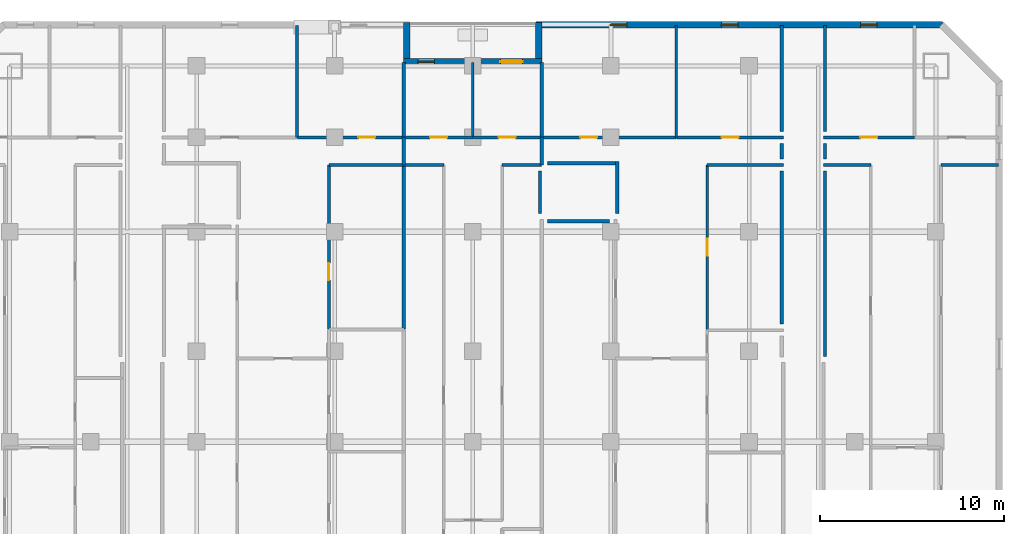
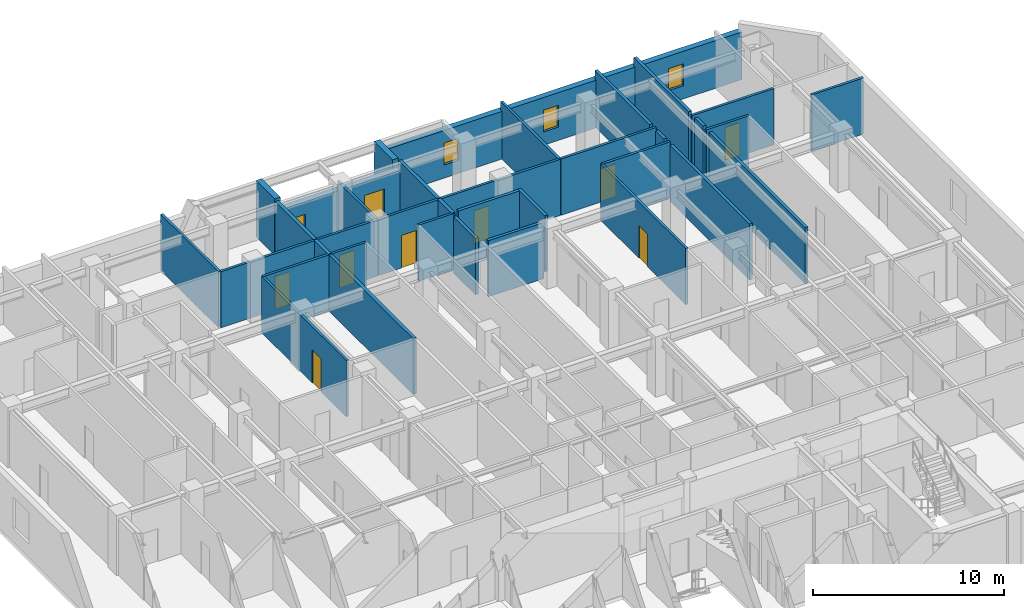
# One storey, part 8 of 10: 36 walls, 9 doors, 4 windows, 13 openings.
"""IFC4 building model written with IfcOpenShell, lengths in metres."""

import ifcopenshell
import ifcopenshell.guid

model = None  # the IFC model being written
_history = None  # IfcOwnerHistory: only IFC2X3 demands one
_inside = {}  # id of a spatial element -> (the spatial element, [elements in it])
_under = {}  # id of a project, library or spatial element -> (it, [spatial elements below it])
_declared = {}  # id of a project -> (the project, [libraries it declares])
_typed = {}  # id of a type object -> (the type object, [elements of that type])
_made_of = {}  # id of a material, layer set ... -> (it, [elements and type objects made of it])


def new_model(schema):
    """Start an empty IFC model of exactly this schema.

    Asked for "IFC4X3", IfcOpenShell would pick the latest addendum, in which some entities
    have other attributes; the version numbers below select the first issue.
    IFC2X3 requires an IfcOwnerHistory on every rooted entity: one is made here for all.
    """
    global model, _history
    if schema == "IFC4X3":
        model = ifcopenshell.file(schema_version=(4, 3, 0, 0))
    else:
        model = ifcopenshell.file(schema=schema)
    _inside.clear()
    _under.clear()
    _declared.clear()
    _typed.clear()
    _made_of.clear()
    _history = None
    if model.schema == "IFC2X3":
        org = make("IfcOrganization", Name="unknown")
        user = make(
            "IfcPersonAndOrganization",
            ThePerson=make("IfcPerson", FamilyName="unknown"),
            TheOrganization=org,
        )
        app = make(
            "IfcApplication",
            ApplicationDeveloper=org,
            Version="unknown",
            ApplicationFullName="unknown",
            ApplicationIdentifier="unknown",
        )
        _history = make(
            "IfcOwnerHistory",
            OwningUser=user,
            OwningApplication=app,
            ChangeAction="ADDED",
            CreationDate=0,
        )
    return model


def make(cls, **values):
    """One entity of the class cls with the attributes given. An attribute that is None is left unset."""
    return model.create_entity(
        cls, **{name: value for name, value in values.items() if value is not None}
    )


def rooted(cls, **values):
    """An entity with a GlobalId (a new one), such as an element, a storey or a relation."""
    return make(cls, GlobalId=ifcopenshell.guid.new(), OwnerHistory=_history, **values)


def si_unit(unit_type, name, prefix=None):
    """IfcSIUnit, for example si_unit("LENGTHUNIT", "METRE", prefix="MILLI")."""
    return make("IfcSIUnit", UnitType=unit_type, Prefix=prefix, Name=name)


def assignment(units):
    """IfcUnitAssignment: the units of a project."""
    return None if units is None else make("IfcUnitAssignment", Units=units)


def point(xyz):
    """IfcCartesianPoint."""
    return None if xyz is None else make("IfcCartesianPoint", Coordinates=xyz)


def direction(xyz):
    """IfcDirection."""
    return None if xyz is None else make("IfcDirection", DirectionRatios=xyz)


def frame(location, z_axis=None, x_axis=None):
    """IfcAxis2Placement3D, a coordinate frame: its origin and axes. An axis left out is left unset."""
    return make(
        "IfcAxis2Placement3D",
        Location=point(location),
        Axis=direction(z_axis),
        RefDirection=direction(x_axis),
    )


def frame_2d(location, x_axis=None):
    """IfcAxis2Placement2D, a coordinate frame in the plane: its origin and x axis."""
    return make(
        "IfcAxis2Placement2D", Location=point(location), RefDirection=direction(x_axis)
    )


def origin():
    """The frame at (0, 0, 0) with its axes left unset."""
    return frame((0.0, 0.0, 0.0))


def place(relative_to, where):
    """IfcLocalPlacement: puts the frame where relative to a parent placement (None: the world)."""
    return make(
        "IfcLocalPlacement", PlacementRelTo=relative_to, RelativePlacement=where
    )


def context(
    kind, dimensions, precision=None, world=None, true_north=None, identifier=None
):
    """IfcGeometricRepresentationContext, for example the 3D "Model" context."""
    return make(
        "IfcGeometricRepresentationContext",
        ContextIdentifier=identifier,
        ContextType=kind,
        CoordinateSpaceDimension=dimensions,
        Precision=precision,
        WorldCoordinateSystem=world,
        TrueNorth=true_north,
    )


def subcontext(parent, identifier, kind, view, scale=None):
    """IfcGeometricRepresentationSubContext, for example "Body" below "Model"."""
    return make(
        "IfcGeometricRepresentationSubContext",
        ContextIdentifier=identifier,
        ContextType=kind,
        ParentContext=parent,
        TargetScale=scale,
        TargetView=view,
    )


def project(units=None, contexts=None):
    """IfcProject with its units and contexts."""
    return rooted(
        "IfcProject",
        Name="project",
        RepresentationContexts=contexts,
        UnitsInContext=assignment(units),
    )


def spatial(cls, under=None, at=None, **own):
    """A site, building, storey or space (cls), placed at a placement, below another one or the project."""
    s = rooted(cls, ObjectPlacement=at, **own)
    if under is not None:
        _under.setdefault(under.id(), (under, []))[1].append(s)
    return s


def profile(cls, at=None, kind="AREA", **sizes):
    """A parametric profile (cls). Its sizes go by their IFC names, for example OverallWidth=200.0."""
    return make(cls, ProfileType=kind, Position=at, **sizes)


def rectangle(**sizes):
    """IfcRectangleProfileDef."""
    return profile("IfcRectangleProfileDef", **sizes)


def extrude(swept, where, along, depth):
    """IfcExtrudedAreaSolid: the profile swept, set in the frame where, extruded along a direction by depth."""
    return make(
        "IfcExtrudedAreaSolid",
        SweptArea=swept,
        Position=where,
        ExtrudedDirection=direction(along),
        Depth=depth,
    )


def shape(context_of_items, identifier, shape_type, items):
    """IfcShapeRepresentation: the items that make up one representation, for example the "Body"."""
    return make(
        "IfcShapeRepresentation",
        ContextOfItems=context_of_items,
        RepresentationIdentifier=identifier,
        RepresentationType=shape_type,
        Items=items,
    )


def material(Name=None, Category=None):
    """IfcMaterial."""
    return make("IfcMaterial", Name=Name, Category=Category)


def layer(
    of_material, thickness, ventilated=None, Name=None, Category=None, Priority=None
):
    """IfcMaterialLayer: one layer of a wall or slab, of a material (None: an air gap)."""
    return make(
        "IfcMaterialLayer",
        Material=of_material,
        LayerThickness=thickness,
        IsVentilated=ventilated,
        Name=Name,
        Category=Category,
        Priority=Priority,
    )


def layer_set(layers, Name=None):
    """IfcMaterialLayerSet."""
    return make("IfcMaterialLayerSet", MaterialLayers=layers, LayerSetName=Name)


def made_of(thing, what):
    """Note that an element or type object is made of a material, layer set ...; save() writes the relation."""
    if what is not None:
        _made_of.setdefault(what.id(), (what, []))[1].append(thing)
    return thing


def type_object(cls, material=None, **own):
    """A type object (cls), such as IfcWallType, which elements share."""
    return made_of(rooted(cls, **own), material)


def element(
    cls,
    number,
    at=None,
    inside=None,
    cuts=None,
    type_object=None,
    material=None,
    context=None,
    identifier="Body",
    shape_type=None,
    held_by="IfcProductDefinitionShape",
    body=None,
    shapes=None,
    **own,
):
    """One element of the class cls, such as IfcWall. Its Tag is "e" and its number.

    at: its placement. inside: the storey or other place that contains it. cuts: it is an
    opening in that element (IfcRelVoidsElement). A single representation is given by context,
    identifier, shape_type and body (its items); several are given by shapes. held_by: the class
    of the entity that holds the representations. save() writes the other relations.
    """
    e = rooted(cls, Tag="e%d" % number, ObjectPlacement=at, **own)
    if body is not None:
        shapes = [shape(context, identifier, shape_type, body)]
    if shapes is not None:
        e.Representation = make(held_by, Representations=shapes)
    if inside is not None:
        _inside.setdefault(inside.id(), (inside, []))[1].append(e)
    if cuts is not None:
        rooted(
            "IfcRelVoidsElement", RelatingBuildingElement=cuts, RelatedOpeningElement=e
        )
    if type_object is not None:
        _typed.setdefault(type_object.id(), (type_object, []))[1].append(e)
    return made_of(e, material)


def fill(opening, filler):
    """IfcRelFillsElement: the door or window that sits in an opening."""
    return rooted(
        "IfcRelFillsElement",
        RelatingOpeningElement=opening,
        RelatedBuildingElement=filler,
    )


def aggregate(whole, parts):
    """IfcRelAggregates: a whole, such as a stair, and the parts it consists of."""
    return rooted("IfcRelAggregates", RelatingObject=whole, RelatedObjects=parts)


def save(model, path):
    """Write the relations noted so far, then the file.

    IfcRelAggregates (storeys below a building ...), IfcRelContainedInSpatialStructure (elements
    in a storey), IfcRelDefinesByType, IfcRelAssociatesMaterial and IfcRelDeclares: one each for
    every whole, place, type object, material and project.
    """
    for whole, parts in _under.values():
        aggregate(whole, parts)
    for where, things in _inside.values():
        rooted(
            "IfcRelContainedInSpatialStructure",
            RelatedElements=things,
            RelatingStructure=where,
        )
    for kind, things in _typed.values():
        rooted("IfcRelDefinesByType", RelatedObjects=things, RelatingType=kind)
    for what, things in _made_of.values():
        rooted("IfcRelAssociatesMaterial", RelatedObjects=things, RelatingMaterial=what)
    for by, libraries in _declared.values():
        rooted("IfcRelDeclares", RelatingContext=by, RelatedDefinitions=libraries)
    model.write(path)


model = new_model("IFC4")

# Units and contexts
model_context = context("Model", 3, precision=1e-05, world=origin(), true_north=direction((0.0, 1.0)))
body_context = subcontext(model_context, "Body", "Model", "MODEL_VIEW")
ifc_project = project(units=[si_unit("LENGTHUNIT", "METRE"), si_unit("AREAUNIT", "SQUARE_METRE"), si_unit("VOLUMEUNIT", "CUBIC_METRE"), si_unit("PLANEANGLEUNIT", "RADIAN"), si_unit("MASSUNIT", "GRAM", prefix="KILO")], contexts=[model_context])

# Site, building, storey
site_placement = place(None, origin())
site = spatial("IfcSite", under=ifc_project, at=site_placement, CompositionType="ELEMENT")
building_placement = place(site_placement, origin())
building = spatial("IfcBuilding", under=site, at=building_placement, Name="Ventersveld Concourse Tower", CompositionType="ELEMENT")
storey_placement = place(building_placement, frame((0.0, 0.0, 41.35009765625)))
storey = spatial("IfcBuildingStorey", under=building, at=storey_placement, Name="L09", CompositionType="ELEMENT", Elevation=41.35009765625)

# Walls
ifc_material_1 = material(Name="Fire-rated autoclaved aerated masonry blockwork", Category="masonry")
ifc_layer_1 = layer(ifc_material_1, 0.179931640625)
ifc_layer_set_1 = layer_set([ifc_layer_1], Name="Fire-rated autoclaved aerated masonry blockwork")
wall_type_1 = type_object("IfcWallType", Name="WL-CORR-180", PredefinedType="PARTITIONING", material=ifc_layer_set_1)
wall_1_placement = place(storey_placement, frame((47.8798828125, 38.945068359375, 0.0), z_axis=(0.0, 0.0, 1.0), x_axis=(0.0, 1.0, 0.0)))
element("IfcWall", 1, at=wall_1_placement, inside=storey, type_object=wall_type_1, Name="L09 Room Enclosure Wall SP-L09-09NE-LIV", PredefinedType="PARTITIONING", context=body_context, shape_type="SweptSolid", body=[
    extrude(rectangle(XDim=0.849853515625, YDim=0.179931640625, at=frame_2d((0.4248046875, 0.0))), origin(), (0.0, 0.0, 1.0), 3.599853515625),
])
wall_2_placement = place(storey_placement, frame((47.8798828125, 28.2099609375, 0.0), z_axis=(0.0, 0.0, 1.0), x_axis=(0.0, 1.0, 0.0)))
element("IfcWall", 2, at=wall_2_placement, inside=storey, type_object=wall_type_1, Name="L09 Room Enclosure Wall SP-L09-09NE-MEDL0", PredefinedType="PARTITIONING", context=body_context, shape_type="SweptSolid", body=[
    extrude(rectangle(XDim=10.0849609375, YDim=0.179931640625, at=frame_2d((5.04248046875, 0.0))), origin(), (0.0, 0.0, 1.0), 3.599853515625),
])
wall_3_placement = place(storey_placement, frame((47.8798828125, 40.445068359375, 0.0), z_axis=(0.0, 0.0, 1.0), x_axis=(0.0, 1.0, 0.0)))
element("IfcWall", 3, at=wall_3_placement, inside=storey, type_object=wall_type_1, Name="L09 Room Enclosure Wall SP-L09-09NE-BR1", PredefinedType="PARTITIONING", context=body_context, shape_type="SweptSolid", body=[
    extrude(rectangle(XDim=5.744873046875, YDim=0.179931640625, at=frame_2d((2.87255859375, 0.0))), origin(), (0.0, 0.0, 1.0), 3.599853515625),
])
wall_4_placement = place(storey_placement, frame((36.691162109375, 38.7099609375, 0.0), z_axis=(0.0, 0.0, 1.0), x_axis=(-1.0, 0.0, 0.0)))
element("IfcWall", 4, at=wall_4_placement, inside=storey, type_object=wall_type_1, Name="L09 Room Enclosure Wall SP-L09-09CE-LIV", PredefinedType="PARTITIONING", context=body_context, shape_type="SweptSolid", body=[
    extrude(rectangle(XDim=3.876220703125, YDim=0.179931640625, at=frame_2d((1.93798828125, 0.0))), origin(), (0.0, 0.0, 1.0), 3.599853515625),
])
wall_5_placement = place(storey_placement, frame((45.52001953125, 39.794921875, 0.0), z_axis=(0.0, 0.0, 1.0), x_axis=(0.0, -1.0, 0.0)))
element("IfcWall", 5, at=wall_5_placement, inside=storey, type_object=wall_type_1, Name="L09 Room Enclosure Wall SP-L09-09CE-LIV", PredefinedType="PARTITIONING", context=body_context, shape_type="SweptSolid", body=[
    extrude(rectangle(XDim=0.849853515625, YDim=0.179931640625, at=frame_2d((0.4248046875, 0.0))), origin(), (0.0, 0.0, 1.0), 3.599853515625),
])
wall_6_placement = place(storey_placement, frame((36.59619140625, 35.981689453125, 0.0), z_axis=(0.0, 0.0, 1.0), x_axis=(0.0, 1.0, 0.0)))
element("IfcWall", 6, at=wall_6_placement, inside=storey, type_object=wall_type_1, Name="L09 Room Enclosure Wall SP-L09-09CE-LIV", PredefinedType="PARTITIONING", context=body_context, shape_type="SweptSolid", body=[
    extrude(rectangle(XDim=2.8232421875, YDim=0.179931640625, at=frame_2d((1.41162109375, 0.0))), origin(), (0.0, 0.0, 1.0), 3.599853515625),
])
wall_7_placement = place(storey_placement, frame((32.81494140625, 35.57177734375, 0.0), z_axis=(0.0, 0.0, 1.0), x_axis=(1.0, 0.0, 0.0)))
element("IfcWall", 7, at=wall_7_placement, inside=storey, type_object=wall_type_1, Name="L09 Room Enclosure Wall SP-L09-09CE-DENL", PredefinedType="PARTITIONING", context=body_context, shape_type="SweptSolid", body=[
    extrude(rectangle(XDim=3.3662109375, YDim=0.179931640625, at=frame_2d((1.68310546875, 0.0))), origin(), (0.0, 0.0, 1.0), 3.599853515625),
])
wall_8_placement = place(storey_placement, frame((45.52001953125, 38.294921875, 0.0), z_axis=(0.0, 0.0, 1.0), x_axis=(0.0, -1.0, 0.0)))
element("IfcWall", 8, at=wall_8_placement, inside=storey, type_object=wall_type_1, Name="L09 Room Enclosure Wall SP-L09-09CE-DENS2", PredefinedType="PARTITIONING", context=body_context, shape_type="SweptSolid", body=[
    extrude(rectangle(XDim=8.31982421875, YDim=0.179931640625, at=frame_2d((4.159912109375, 0.0))), origin(), (0.0, 0.0, 1.0), 3.599853515625),
])
wall_9_placement = place(storey_placement, frame((45.52001953125, 46.18994140625, 0.0), z_axis=(0.0, 0.0, 1.0), x_axis=(0.0, -1.0, 0.0)))
element("IfcWall", 9, at=wall_9_placement, inside=storey, type_object=wall_type_1, Name="L09 Room Enclosure Wall SP-L09-09CE-BR2", PredefinedType="PARTITIONING", context=body_context, shape_type="SweptSolid", body=[
    extrude(rectangle(XDim=5.744873046875, YDim=0.179931640625, at=frame_2d((2.87255859375, 0.0))), origin(), (0.0, 0.0, 1.0), 3.599853515625),
])
wall_10_placement = place(storey_placement, frame((32.39990234375, 38.294921875, 0.0), z_axis=(0.0, 0.0, 1.0), x_axis=(0.0, -1.0, 0.0)))
element("IfcWall", 10, at=wall_10_placement, inside=storey, type_object=wall_type_1, Name="L09 Room Enclosure Wall SP-L09-09CM-DENR", PredefinedType="PARTITIONING", context=body_context, shape_type="SweptSolid", body=[
    extrude(rectangle(XDim=2.313232421875, YDim=0.179931640625, at=frame_2d((1.15673828125, 0.0))), origin(), (0.0, 0.0, 1.0), 3.599853515625),
])
ifc_layer_2 = layer(ifc_material_1, 0.199951171875)
ifc_layer_set_2 = layer_set([ifc_layer_2], Name="Fire-rated autoclaved aerated masonry blockwork")
wall_type_2 = type_object("IfcWallType", Name="WL-DEMISE-200", PredefinedType="PARTITIONING", material=ifc_layer_set_2)
wall_11_placement = place(storey_placement, frame((25.010009765625, 38.614990234375, 0.0), z_axis=(0.0, 0.0, 1.0), x_axis=(0.0, 1.0, 0.0)))
element("IfcWall", 11, at=wall_11_placement, inside=storey, type_object=wall_type_2, Name="L09 Interior Partition SP-L09-09CW-LIV-SP-L09-09CM-LIV", PredefinedType="PARTITIONING", context=body_context, shape_type="SweptSolid", body=[
    extrude(rectangle(XDim=1.510009765625, YDim=0.199951171875, at=frame_2d((0.7548828125, 0.0))), origin(), (0.0, 0.0, 1.0), 3.599853515625),
])
wall_12_placement = place(storey_placement, frame((25.010009765625, 29.71875, 0.0), z_axis=(0.0, 0.0, 1.0), x_axis=(0.0, 1.0, 0.0)))
element("IfcWall", 12, at=wall_12_placement, inside=storey, type_object=wall_type_2, Name="L09 Interior Partition SP-L09-09CW-DENS2-SP-L09-09CM-DENL", PredefinedType="PARTITIONING", context=body_context, shape_type="SweptSolid", body=[
    extrude(rectangle(XDim=8.8662109375, YDim=0.199951171875, at=frame_2d((4.43310546875, 0.0))), origin(), (0.0, 0.0, 1.0), 3.599853515625),
])
wall_13_placement = place(storey_placement, frame((25.010009765625, 40.155029296875, 0.0), z_axis=(0.0, 0.0, 1.0), x_axis=(0.0, 1.0, 0.0)))
element("IfcWall", 13, at=wall_13_placement, inside=storey, type_object=wall_type_2, Name="L09 Interior Partition SP-L09-09CW-BR2-SP-L09-09CM-BR1", PredefinedType="PARTITIONING", context=body_context, shape_type="SweptSolid", body=[
    extrude(rectangle(XDim=4.034912109375, YDim=0.199951171875, at=frame_2d((2.017578125, 0.0))), origin(), (0.0, 0.0, 1.0), 3.599853515625),
])
wall_14_placement = place(storey_placement, frame((32.489990234375, 38.614990234375, 0.0), z_axis=(0.0, 0.0, 1.0), x_axis=(0.0, 1.0, 0.0)))
element("IfcWall", 14, at=wall_14_placement, inside=storey, type_object=wall_type_2, Name="L09 Interior Partition SP-L09-09CE-LIV-SP-L09-09CM-LIV", PredefinedType="PARTITIONING", context=body_context, shape_type="SweptSolid", body=[
    extrude(rectangle(XDim=1.510009765625, YDim=0.199951171875, at=frame_2d((0.7548828125, 0.0))), origin(), (0.0, 0.0, 1.0), 3.599853515625),
])
wall_15_placement = place(storey_placement, frame((32.489990234375, 40.155029296875, 0.0), z_axis=(0.0, 0.0, 1.0), x_axis=(0.0, 1.0, 0.0)))
element("IfcWall", 15, at=wall_15_placement, inside=storey, type_object=wall_type_2, Name="L09 Interior Partition SP-L09-09CE-BR1-SP-L09-09CM-BR2", PredefinedType="PARTITIONING", context=body_context, shape_type="SweptSolid", body=[
    extrude(rectangle(XDim=4.034912109375, YDim=0.199951171875, at=frame_2d((2.017578125, 0.0))), origin(), (0.0, 0.0, 1.0), 3.599853515625),
])
ifc_material_2 = material(Name="Autoclaved aerated masonry blockwork", Category="masonry")
ifc_layer_3 = layer(ifc_material_2, 0.14990234375)
ifc_layer_set_3 = layer_set([ifc_layer_3], Name="Autoclaved aerated masonry blockwork")
wall_type_3 = type_object("IfcWallType", Name="WL-INT-150", PredefinedType="PARTITIONING", material=ifc_layer_set_3)
wall_16_placement = place(storey_placement, frame((47.784912109375, 38.6201171875, 0.0), z_axis=(0.0, 0.0, 1.0), x_axis=(1.0, 0.0, 0.0)))
element("IfcWall", 16, at=wall_16_placement, inside=storey, type_object=wall_type_3, Name="L09 Interior Partition SP-L09-09NE-LIV-SP-L09-09NE-MEDL0", PredefinedType="PARTITIONING", context=body_context, shape_type="SweptSolid", body=[
    extrude(rectangle(XDim=2.5751953125, YDim=0.14990234375, at=frame_2d((1.28759765625, 0.0))), origin(), (0.0, 0.0, 1.0), 3.599853515625),
])
wall_17_placement = place(storey_placement, frame((54.172119140625, 38.6201171875, 0.0), z_axis=(0.0, 0.0, 1.0), x_axis=(1.0, 0.0, 0.0)))
element("IfcWall", 17, at=wall_17_placement, inside=storey, type_object=wall_type_3, Name="L09 Interior Partition SP-L09-09NE-LIV-SP-L09-09NE-DENR", PredefinedType="PARTITIONING", context=body_context, shape_type="SweptSolid", body=[
    extrude(rectangle(XDim=3.117919921875, YDim=0.14990234375, at=frame_2d((1.55908203125, 0.0))), origin(), (0.0, 0.0, 1.0), 3.599853515625),
])

# Wall, opening, door
wall_18_placement = place(storey_placement, frame((47.784912109375, 40.1201171875, 0.0), z_axis=(0.0, 0.0, 1.0), x_axis=(1.0, 0.0, 0.0)))
wall_18 = element("IfcWall", 18, at=wall_18_placement, inside=storey, type_object=wall_type_3, Name="L09 Interior Partition SP-L09-09NE-LIV-SP-L09-09NE-BR1", PredefinedType="PARTITIONING", context=body_context, shape_type="SweptSolid", body=[
    extrude(rectangle(XDim=4.951171875, YDim=0.14990234375, at=frame_2d((2.4755859375, 0.0))), origin(), (0.0, 0.0, 1.0), 3.599853515625),
])
opening_1_placement = place(wall_18_placement, frame((2.015625, 0.0, 0.0)))
opening_1 = element("IfcOpeningElement", 19, at=opening_1_placement, cuts=wall_18, Name="Opening ID1", PredefinedType="OPENING", context=body_context, shape_type="SweptSolid", body=[
    extrude(rectangle(XDim=0.919921875, YDim=2.10009765625, at=frame_2d((0.4599609375, 1.050048828125))), frame((0.0, 0.0849609375, 0.0), z_axis=(0.0, -1.0, 0.0), x_axis=(1.0, 0.0, 0.0)), (0.0, 0.0, 1.0), 0.169921875),
])
ifc_material_3 = material(Name="Solid-core hardwood veneer timber", Category="wood")
door_type_1 = type_object("IfcDoorType", Name="DR-ROOM-092", OperationType="NOTDEFINED", PredefinedType="DOOR", material=ifc_material_3)
door_1_placement = place(opening_1_placement, origin())
door_1 = element("IfcDoor", 20, at=door_1_placement, inside=storey, type_object=door_type_1, Name="L09 Interior Door SP-L09-09NE-LIV to SP-L09-09NE-BR1 (D-L09-0330)", OperationType="SINGLE_SWING_RIGHT", OverallHeight=2.10009765625, OverallWidth=0.919921875, PredefinedType="DOOR", context=body_context, shape_type="SweptSolid", body=[
    extrude(rectangle(XDim=0.919921875, YDim=2.10009765625, at=frame_2d((0.4599609375, 1.050048828125))), frame((0.0, 0.02490234375, 0.0), z_axis=(0.0, -1.0, 0.0), x_axis=(1.0, 0.0, 0.0)), (0.0, 0.0, 1.0), 0.050048828125),
])
fill(opening_1, door_1)

wall_19_placement = place(storey_placement, frame((20.93994140625, 29.71875, 0.0), z_axis=(0.0, 0.0, 1.0), x_axis=(0.0, 1.0, 0.0)))
wall_19 = element("IfcWall", 21, at=wall_19_placement, inside=storey, type_object=wall_type_3, Name="L09 Interior Partition SP-L09-09CW-LIV-SP-L09-09CW-DENS2", PredefinedType="PARTITIONING", context=body_context, shape_type="SweptSolid", body=[
    extrude(rectangle(XDim=8.90625, YDim=0.14990234375, at=frame_2d((4.453125, 0.0))), origin(), (0.0, 0.0, 1.0), 3.599853515625),
])
opening_2_placement = place(wall_19_placement, frame((2.6572265625, 0.0, 0.0)))
opening_2 = element("IfcOpeningElement", 22, at=opening_2_placement, cuts=wall_19, Name="Opening ID1", PredefinedType="OPENING", context=body_context, shape_type="SweptSolid", body=[
    extrude(rectangle(XDim=0.919921875, YDim=2.10009765625, at=frame_2d((0.4599609375, 1.050048828125))), frame((0.0, 0.0849609375, 0.0), z_axis=(0.0, -1.0, 0.0), x_axis=(1.0, 0.0, 0.0)), (0.0, 0.0, 1.0), 0.169921875),
])
door_2_placement = place(opening_2_placement, origin())
door_2 = element("IfcDoor", 23, at=door_2_placement, inside=storey, type_object=door_type_1, Name="L09 Interior Door SP-L09-09CW-LIV to SP-L09-09CW-DENS2 (D-L09-0340)", OperationType="SINGLE_SWING_RIGHT", OverallHeight=2.10009765625, OverallWidth=0.919921875, PredefinedType="DOOR", context=body_context, shape_type="SweptSolid", body=[
    extrude(rectangle(XDim=0.919921875, YDim=2.10009765625, at=frame_2d((0.4599609375, 1.050048828125))), frame((0.0, 0.02490234375, 0.0), z_axis=(0.0, -1.0, 0.0), x_axis=(1.0, 0.0, 0.0)), (0.0, 0.0, 1.0), 0.050048828125),
])
fill(opening_2, door_2)

# Wall
wall_20_placement = place(storey_placement, frame((20.93505859375, 38.6201171875, 0.0), z_axis=(0.0, 0.0, 1.0), x_axis=(1.0, 0.0, 0.0)))
element("IfcWall", 24, at=wall_20_placement, inside=storey, type_object=wall_type_3, Name="L09 Interior Partition SP-L09-09CW-LIV-SP-L09-09CW-DENS2", PredefinedType="PARTITIONING", context=body_context, shape_type="SweptSolid", body=[
    extrude(rectangle(XDim=4.079833984375, YDim=0.14990234375, at=frame_2d((2.0400390625, 0.0))), origin(), (0.0, 0.0, 1.0), 3.599853515625),
])

# Wall, opening, door
wall_21_placement = place(storey_placement, frame((19.235595703125, 40.1201171875, 0.0), z_axis=(0.0, 0.0, 1.0), x_axis=(1.0, 0.0, 0.0)))
wall_21 = element("IfcWall", 25, at=wall_21_placement, inside=storey, type_object=wall_type_3, Name="L09 Interior Partition SP-L09-09CW-LIV-SP-L09-09CW-BR2", PredefinedType="PARTITIONING", context=body_context, shape_type="SweptSolid", body=[
    extrude(rectangle(XDim=5.779296875, YDim=0.14990234375, at=frame_2d((2.8896484375, 0.0))), origin(), (0.0, 0.0, 1.0), 3.599853515625),
])
opening_3_placement = place(wall_21_placement, frame((3.296630859375, 0.0, 0.0)))
opening_3 = element("IfcOpeningElement", 26, at=opening_3_placement, cuts=wall_21, Name="Opening ID1", PredefinedType="OPENING", context=body_context, shape_type="SweptSolid", body=[
    extrude(rectangle(XDim=0.919921875, YDim=2.10009765625, at=frame_2d((0.4599609375, 1.050048828125))), frame((0.0, 0.0849609375, 0.0), z_axis=(0.0, -1.0, 0.0), x_axis=(1.0, 0.0, 0.0)), (0.0, 0.0, 1.0), 0.169921875),
])
door_3_placement = place(opening_3_placement, origin())
door_3 = element("IfcDoor", 27, at=door_3_placement, inside=storey, type_object=door_type_1, Name="L09 Interior Door SP-L09-09CW-LIV to SP-L09-09CW-BR2 (D-L09-0342)", OperationType="SINGLE_SWING_RIGHT", OverallHeight=2.10009765625, OverallWidth=0.919921875, PredefinedType="DOOR", context=body_context, shape_type="SweptSolid", body=[
    extrude(rectangle(XDim=0.919921875, YDim=2.10009765625, at=frame_2d((0.4599609375, 1.050048828125))), frame((0.0, 0.02490234375, 0.0), z_axis=(0.0, -1.0, 0.0), x_axis=(1.0, 0.0, 0.0)), (0.0, 0.0, 1.0), 0.050048828125),
])
fill(opening_3, door_3)

# Wall
wall_22_placement = place(storey_placement, frame((19.20068359375, 40.114990234375, 0.0), z_axis=(0.0, 0.0, 1.0), x_axis=(0.0, 1.0, 0.0)))
element("IfcWall", 28, at=wall_22_placement, inside=storey, type_object=wall_type_3, Name="L09 Interior Partition SP-L09-09CW-BR1-SP-L09-09CW-BR2", PredefinedType="PARTITIONING", context=body_context, shape_type="SweptSolid", body=[
    extrude(rectangle(XDim=6.074951171875, YDim=0.14990234375, at=frame_2d((3.03759765625, 0.0))), origin(), (0.0, 0.0, 1.0), 3.599853515625),
])

# Wall, opening, door
wall_23_placement = place(storey_placement, frame((41.486083984375, 29.68505859375, 0.0), z_axis=(0.0, 0.0, 1.0), x_axis=(0.0, 1.0, 0.0)))
wall_23 = element("IfcWall", 29, at=wall_23_placement, inside=storey, type_object=wall_type_3, Name="L09 Interior Partition SP-L09-09CE-LIV-SP-L09-09CE-DENS2", PredefinedType="PARTITIONING", context=body_context, shape_type="SweptSolid", body=[
    extrude(rectangle(XDim=8.93994140625, YDim=0.14990234375, at=frame_2d((4.469970703125, 0.0))), origin(), (0.0, 0.0, 1.0), 3.599853515625),
])
opening_4_placement = place(wall_23_placement, frame((4.010009765625, 0.0, 0.0)))
opening_4 = element("IfcOpeningElement", 30, at=opening_4_placement, cuts=wall_23, Name="Opening ID1", PredefinedType="OPENING", context=body_context, shape_type="SweptSolid", body=[
    extrude(rectangle(XDim=0.919921875, YDim=2.10009765625, at=frame_2d((0.4599609375, 1.050048828125))), frame((0.0, 0.0849609375, 0.0), z_axis=(0.0, -1.0, 0.0), x_axis=(1.0, 0.0, 0.0)), (0.0, 0.0, 1.0), 0.169921875),
])
door_4_placement = place(opening_4_placement, origin())
door_4 = element("IfcDoor", 31, at=door_4_placement, inside=storey, type_object=door_type_1, Name="L09 Interior Door SP-L09-09CE-LIV to SP-L09-09CE-DENS2 (D-L09-0351)", OperationType="SINGLE_SWING_LEFT", OverallHeight=2.10009765625, OverallWidth=0.919921875, PredefinedType="DOOR", context=body_context, shape_type="SweptSolid", body=[
    extrude(rectangle(XDim=0.919921875, YDim=2.10009765625, at=frame_2d((0.4599609375, 1.050048828125))), frame((0.0, 0.02490234375, 0.0), z_axis=(0.0, -1.0, 0.0), x_axis=(1.0, 0.0, 0.0)), (0.0, 0.0, 1.0), 0.050048828125),
])
fill(opening_4, door_4)

# Wall
wall_24_placement = place(storey_placement, frame((41.481201171875, 38.6201171875, 0.0), z_axis=(0.0, 0.0, 1.0), x_axis=(1.0, 0.0, 0.0)))
element("IfcWall", 32, at=wall_24_placement, inside=storey, type_object=wall_type_3, Name="L09 Interior Partition SP-L09-09CE-LIV-SP-L09-09CE-DENS2", PredefinedType="PARTITIONING", context=body_context, shape_type="SweptSolid", body=[
    extrude(rectangle(XDim=4.1337890625, YDim=0.14990234375, at=frame_2d((2.06689453125, 0.0))), origin(), (0.0, 0.0, 1.0), 3.599853515625),
])

# Wall, opening, door
wall_25_placement = place(storey_placement, frame((32.485107421875, 40.1201171875, 0.0), z_axis=(0.0, 0.0, 1.0), x_axis=(1.0, 0.0, 0.0)))
wall_25 = element("IfcWall", 33, at=wall_25_placement, inside=storey, type_object=wall_type_3, Name="L09 Interior Partition SP-L09-09CE-LIV-SP-L09-09CE-BR1", PredefinedType="PARTITIONING", context=body_context, shape_type="SweptSolid", body=[
    extrude(rectangle(XDim=7.320556640625, YDim=0.14990234375, at=frame_2d((3.66015625, 0.0))), origin(), (0.0, 0.0, 1.0), 3.599853515625),
])
opening_5_placement = place(wall_25_placement, frame((2.102294921875, 0.0, 0.0)))
opening_5 = element("IfcOpeningElement", 34, at=opening_5_placement, cuts=wall_25, Name="Opening ID1", PredefinedType="OPENING", context=body_context, shape_type="SweptSolid", body=[
    extrude(rectangle(XDim=0.919921875, YDim=2.10009765625, at=frame_2d((0.4599609375, 1.050048828125))), frame((0.0, 0.0849609375, 0.0), z_axis=(0.0, -1.0, 0.0), x_axis=(1.0, 0.0, 0.0)), (0.0, 0.0, 1.0), 0.169921875),
])
door_5_placement = place(opening_5_placement, origin())
door_5 = element("IfcDoor", 35, at=door_5_placement, inside=storey, type_object=door_type_1, Name="L09 Interior Door SP-L09-09CE-LIV to SP-L09-09CE-BR1 (D-L09-0352)", OperationType="SINGLE_SWING_RIGHT", OverallHeight=2.10009765625, OverallWidth=0.919921875, PredefinedType="DOOR", context=body_context, shape_type="SweptSolid", body=[
    extrude(rectangle(XDim=0.919921875, YDim=2.10009765625, at=frame_2d((0.4599609375, 1.050048828125))), frame((0.0, 0.02490234375, 0.0), z_axis=(0.0, -1.0, 0.0), x_axis=(1.0, 0.0, 0.0)), (0.0, 0.0, 1.0), 0.050048828125),
])
fill(opening_5, door_5)

wall_26_placement = place(storey_placement, frame((39.835693359375, 40.1201171875, 0.0), z_axis=(0.0, 0.0, 1.0), x_axis=(1.0, 0.0, 0.0)))
wall_26 = element("IfcWall", 36, at=wall_26_placement, inside=storey, type_object=wall_type_3, Name="L09 Interior Partition SP-L09-09CE-LIV-SP-L09-09CE-BR2", PredefinedType="PARTITIONING", context=body_context, shape_type="SweptSolid", body=[
    extrude(rectangle(XDim=5.779296875, YDim=0.14990234375, at=frame_2d((2.8896484375, 0.0))), origin(), (0.0, 0.0, 1.0), 3.599853515625),
])
opening_6_placement = place(wall_26_placement, frame((2.4296875, 0.0, 0.0)))
opening_6 = element("IfcOpeningElement", 37, at=opening_6_placement, cuts=wall_26, Name="Opening ID1", PredefinedType="OPENING", context=body_context, shape_type="SweptSolid", body=[
    extrude(rectangle(XDim=0.919921875, YDim=2.10009765625, at=frame_2d((0.4599609375, 1.050048828125))), frame((0.0, 0.0849609375, 0.0), z_axis=(0.0, -1.0, 0.0), x_axis=(1.0, 0.0, 0.0)), (0.0, 0.0, 1.0), 0.169921875),
])
door_6_placement = place(opening_6_placement, origin())
door_6 = element("IfcDoor", 38, at=door_6_placement, inside=storey, type_object=door_type_1, Name="L09 Interior Door SP-L09-09CE-LIV to SP-L09-09CE-BR2 (D-L09-0353)", OperationType="SINGLE_SWING_LEFT", OverallHeight=2.10009765625, OverallWidth=0.919921875, PredefinedType="DOOR", context=body_context, shape_type="SweptSolid", body=[
    extrude(rectangle(XDim=0.919921875, YDim=2.10009765625, at=frame_2d((0.4599609375, 1.050048828125))), frame((0.0, 0.02490234375, 0.0), z_axis=(0.0, -1.0, 0.0), x_axis=(1.0, 0.0, 0.0)), (0.0, 0.0, 1.0), 0.050048828125),
])
fill(opening_6, door_6)

# Walls
wall_27_placement = place(storey_placement, frame((39.800537109375, 40.114990234375, 0.0), z_axis=(0.0, 0.0, 1.0), x_axis=(0.0, 1.0, 0.0)))
element("IfcWall", 39, at=wall_27_placement, inside=storey, type_object=wall_type_3, Name="L09 Interior Partition SP-L09-09CE-BR1-SP-L09-09CE-BR2", PredefinedType="PARTITIONING", context=body_context, shape_type="SweptSolid", body=[
    extrude(rectangle(XDim=6.074951171875, YDim=0.14990234375, at=frame_2d((3.03759765625, 0.0))), origin(), (0.0, 0.0, 1.0), 3.599853515625),
])
wall_28_placement = place(storey_placement, frame((25.044921875, 38.6201171875, 0.0), z_axis=(0.0, 0.0, 1.0), x_axis=(1.0, 0.0, 0.0)))
element("IfcWall", 40, at=wall_28_placement, inside=storey, type_object=wall_type_3, Name="L09 Interior Partition SP-L09-09CM-LIV-SP-L09-09CM-DENL", PredefinedType="PARTITIONING", context=body_context, shape_type="SweptSolid", body=[
    extrude(rectangle(XDim=2.13623046875, YDim=0.14990234375, at=frame_2d((1.068115234375, 0.0))), origin(), (0.0, 0.0, 1.0), 3.599853515625),
])
wall_29_placement = place(storey_placement, frame((30.34912109375, 38.6201171875, 0.0), z_axis=(0.0, 0.0, 1.0), x_axis=(1.0, 0.0, 0.0)))
element("IfcWall", 41, at=wall_29_placement, inside=storey, type_object=wall_type_3, Name="L09 Interior Partition SP-L09-09CM-LIV-SP-L09-09CM-DENR", PredefinedType="PARTITIONING", context=body_context, shape_type="SweptSolid", body=[
    extrude(rectangle(XDim=2.14599609375, YDim=0.14990234375, at=frame_2d((1.072998046875, 0.0))), origin(), (0.0, 0.0, 1.0), 3.599853515625),
])

# Wall, opening, door
wall_30_placement = place(storey_placement, frame((25.044921875, 40.1201171875, 0.0), z_axis=(0.0, 0.0, 1.0), x_axis=(1.0, 0.0, 0.0)))
wall_30 = element("IfcWall", 42, at=wall_30_placement, inside=storey, type_object=wall_type_3, Name="L09 Interior Partition SP-L09-09CM-LIV-SP-L09-09CM-BR1", PredefinedType="PARTITIONING", context=body_context, shape_type="SweptSolid", body=[
    extrude(rectangle(XDim=3.7099609375, YDim=0.14990234375, at=frame_2d((1.85498046875, 0.0))), origin(), (0.0, 0.0, 1.0), 3.599853515625),
])
opening_7_placement = place(wall_30_placement, frame((1.39501953125, 0.0, 0.0)))
opening_7 = element("IfcOpeningElement", 43, at=opening_7_placement, cuts=wall_30, Name="Opening ID1", PredefinedType="OPENING", context=body_context, shape_type="SweptSolid", body=[
    extrude(rectangle(XDim=0.919921875, YDim=2.10009765625, at=frame_2d((0.4599609375, 1.050048828125))), frame((0.0, 0.0849609375, 0.0), z_axis=(0.0, -1.0, 0.0), x_axis=(1.0, 0.0, 0.0)), (0.0, 0.0, 1.0), 0.169921875),
])
door_7_placement = place(opening_7_placement, origin())
door_7 = element("IfcDoor", 44, at=door_7_placement, inside=storey, type_object=door_type_1, Name="L09 Interior Door SP-L09-09CM-LIV to SP-L09-09CM-BR1 (D-L09-0360)", OperationType="SINGLE_SWING_RIGHT", OverallHeight=2.10009765625, OverallWidth=0.919921875, PredefinedType="DOOR", context=body_context, shape_type="SweptSolid", body=[
    extrude(rectangle(XDim=0.919921875, YDim=2.10009765625, at=frame_2d((0.4599609375, 1.050048828125))), frame((0.0, 0.02490234375, 0.0), z_axis=(0.0, -1.0, 0.0), x_axis=(1.0, 0.0, 0.0)), (0.0, 0.0, 1.0), 0.050048828125),
])
fill(opening_7, door_7)

wall_31_placement = place(storey_placement, frame((28.784912109375, 40.1201171875, 0.0), z_axis=(0.0, 0.0, 1.0), x_axis=(1.0, 0.0, 0.0)))
wall_31 = element("IfcWall", 45, at=wall_31_placement, inside=storey, type_object=wall_type_3, Name="L09 Interior Partition SP-L09-09CM-LIV-SP-L09-09CM-BR2", PredefinedType="PARTITIONING", context=body_context, shape_type="SweptSolid", body=[
    extrude(rectangle(XDim=3.670166015625, YDim=0.14990234375, at=frame_2d((1.8349609375, 0.0))), origin(), (0.0, 0.0, 1.0), 3.599853515625),
])
opening_8_placement = place(wall_31_placement, frame((1.375, 0.0, 0.0)))
opening_8 = element("IfcOpeningElement", 46, at=opening_8_placement, cuts=wall_31, Name="Opening ID1", PredefinedType="OPENING", context=body_context, shape_type="SweptSolid", body=[
    extrude(rectangle(XDim=0.919921875, YDim=2.10009765625, at=frame_2d((0.4599609375, 1.050048828125))), frame((0.0, 0.0849609375, 0.0), z_axis=(0.0, -1.0, 0.0), x_axis=(1.0, 0.0, 0.0)), (0.0, 0.0, 1.0), 0.169921875),
])
door_8_placement = place(opening_8_placement, origin())
door_8 = element("IfcDoor", 47, at=door_8_placement, inside=storey, type_object=door_type_1, Name="L09 Interior Door SP-L09-09CM-LIV to SP-L09-09CM-BR2 (D-L09-0361)", OperationType="SINGLE_SWING_LEFT", OverallHeight=2.10009765625, OverallWidth=0.919921875, PredefinedType="DOOR", context=body_context, shape_type="SweptSolid", body=[
    extrude(rectangle(XDim=0.919921875, YDim=2.10009765625, at=frame_2d((0.4599609375, 1.050048828125))), frame((0.0, 0.02490234375, 0.0), z_axis=(0.0, -1.0, 0.0), x_axis=(1.0, 0.0, 0.0)), (0.0, 0.0, 1.0), 0.050048828125),
])
fill(opening_8, door_8)

# Wall
wall_32_placement = place(storey_placement, frame((28.75, 40.114990234375, 0.0), z_axis=(0.0, 0.0, 1.0), x_axis=(0.0, 1.0, 0.0)))
element("IfcWall", 48, at=wall_32_placement, inside=storey, type_object=wall_type_3, Name="L09 Interior Partition SP-L09-09CM-BR1-SP-L09-09CM-BR2", PredefinedType="PARTITIONING", context=body_context, shape_type="SweptSolid", body=[
    extrude(rectangle(XDim=4.074951171875, YDim=0.14990234375, at=frame_2d((2.03759765625, 0.0))), origin(), (0.0, 0.0, 1.0), 3.599853515625),
])

# Wall, openings, windows
ifc_material_4 = material(Name="Precast concrete C45/55", Category="concrete")
ifc_layer_4 = layer(ifc_material_4, 0.35009765625)
ifc_layer_set_4 = layer_set([ifc_layer_4], Name="Precast concrete C45/55")
wall_type_4 = type_object("IfcWallType", Name="WL-PREC-350", PredefinedType="SOLIDWALL", material=ifc_layer_set_4)
wall_33_placement = place(storey_placement, frame((54.260009765625, 46.22509765625, 0.0), z_axis=(0.0, 0.0, 1.0), x_axis=(-1.0, 0.0, 0.0)))
wall_33 = element("IfcWall", 49, at=wall_33_placement, inside=storey, type_object=wall_type_4, Name="L09 Highveld Precast Facade Wall E05", PredefinedType="SOLIDWALL", context=body_context, shape_type="SweptSolid", body=[
    extrude(rectangle(XDim=22.070068359375, YDim=0.35009765625, at=frame_2d((11.03515625, 0.0))), origin(), (0.0, 0.0, 1.0), 3.055419921875),
])
opening_9_placement = place(wall_33_placement, frame((3.54931640625, 0.0, 0.85009765625)))
opening_9 = element("IfcOpeningElement", 50, at=opening_9_placement, cuts=wall_33, Name="Opening W8", PredefinedType="OPENING", context=body_context, shape_type="SweptSolid", body=[
    extrude(rectangle(XDim=0.89990234375, YDim=1.39990234375, at=frame_2d((0.449951171875, 0.699951171875))), frame((0.0, 0.18505859375, 0.0), z_axis=(0.0, -1.0, 0.0), x_axis=(1.0, 0.0, 0.0)), (0.0, 0.0, 1.0), 0.3701171875),
])
opening_10_placement = place(wall_33_placement, frame((17.147216796875, 0.0, 0.85009765625)))
opening_10 = element("IfcOpeningElement", 51, at=opening_10_placement, cuts=wall_33, Name="Opening W8", PredefinedType="OPENING", context=body_context, shape_type="SweptSolid", body=[
    extrude(rectangle(XDim=0.89990234375, YDim=1.39990234375, at=frame_2d((0.449951171875, 0.699951171875))), frame((0.0, 0.18505859375, 0.0), z_axis=(0.0, -1.0, 0.0), x_axis=(1.0, 0.0, 0.0)), (0.0, 0.0, 1.0), 0.3701171875),
])
opening_11_placement = place(wall_33_placement, frame((11.104736328125, 0.0, 0.85009765625)))
opening_11 = element("IfcOpeningElement", 52, at=opening_11_placement, cuts=wall_33, Name="Opening W8", PredefinedType="OPENING", context=body_context, shape_type="SweptSolid", body=[
    extrude(rectangle(XDim=0.89990234375, YDim=1.39990234375, at=frame_2d((0.449951171875, 0.699951171875))), frame((0.0, 0.18505859375, 0.0), z_axis=(0.0, -1.0, 0.0), x_axis=(1.0, 0.0, 0.0)), (0.0, 0.0, 1.0), 0.3701171875),
])
ifc_material_5 = material(Name="Tempered acoustic Low-E IGU", Category="glass")
window_type = type_object("IfcWindowType", Name="WIN-090x140", PartitioningType="SINGLE_PANEL", PredefinedType="WINDOW", material=ifc_material_5)
window_1_placement = place(opening_9_placement, origin())
window_1 = element("IfcWindow", 53, at=window_1_placement, inside=storey, type_object=window_type, Name="L09 Punched Low-E Window W-0042", OverallHeight=1.39990234375, OverallWidth=0.89990234375, PartitioningType="SINGLE_PANEL", PredefinedType="WINDOW", context=body_context, shape_type="SweptSolid", body=[
    extrude(rectangle(XDim=0.89990234375, YDim=1.39990234375, at=frame_2d((0.449951171875, 0.699951171875))), frame((0.0, 0.030029296875, 0.0), z_axis=(0.0, -1.0, 0.0), x_axis=(1.0, 0.0, 0.0)), (0.0, 0.0, 1.0), 0.06005859375),
])
fill(opening_9, window_1)
window_2_placement = place(opening_10_placement, origin())
window_2 = element("IfcWindow", 54, at=window_2_placement, inside=storey, type_object=window_type, Name="L09 Punched Low-E Window W-0046", OverallHeight=1.39990234375, OverallWidth=0.89990234375, PartitioningType="SINGLE_PANEL", PredefinedType="WINDOW", context=body_context, shape_type="SweptSolid", body=[
    extrude(rectangle(XDim=0.89990234375, YDim=1.39990234375, at=frame_2d((0.449951171875, 0.699951171875))), frame((0.0, 0.030029296875, 0.0), z_axis=(0.0, -1.0, 0.0), x_axis=(1.0, 0.0, 0.0)), (0.0, 0.0, 1.0), 0.06005859375),
])
fill(opening_10, window_2)
window_3_placement = place(opening_11_placement, origin())
window_3 = element("IfcWindow", 55, at=window_3_placement, inside=storey, type_object=window_type, Name="L09 Punched Low-E Window W-0047", OverallHeight=1.39990234375, OverallWidth=0.89990234375, PartitioningType="SINGLE_PANEL", PredefinedType="WINDOW", context=body_context, shape_type="SweptSolid", body=[
    extrude(rectangle(XDim=0.89990234375, YDim=1.39990234375, at=frame_2d((0.449951171875, 0.699951171875))), frame((0.0, 0.030029296875, 0.0), z_axis=(0.0, -1.0, 0.0), x_axis=(1.0, 0.0, 0.0)), (0.0, 0.0, 1.0), 0.06005859375),
])
fill(opening_11, window_3)

# Wall
wall_34_placement = place(storey_placement, frame((32.324951171875, 46.360107421875, 0.0), z_axis=(0.0, 0.0, 1.0), x_axis=(0.0, -1.0, 0.0)))
element("IfcWall", 56, at=wall_34_placement, inside=storey, type_object=wall_type_4, Name="L09 Highveld Precast Facade Wall E06", PredefinedType="SOLIDWALL", context=body_context, shape_type="SweptSolid", body=[
    extrude(rectangle(XDim=1.960205078125, YDim=0.35009765625, at=frame_2d((0.97998046875, 0.0))), origin(), (0.0, 0.0, 1.0), 3.599853515625),
])

# Wall, openings, door, window
wall_35_placement = place(storey_placement, frame((32.5, 44.22509765625, 0.0), z_axis=(0.0, 0.0, 1.0), x_axis=(-1.0, 0.0, 0.0)))
wall_35 = element("IfcWall", 57, at=wall_35_placement, inside=storey, type_object=wall_type_4, Name="L09 Highveld Precast Facade Wall E07", PredefinedType="SOLIDWALL", context=body_context, shape_type="SweptSolid", body=[
    extrude(rectangle(XDim=7.5, YDim=0.35009765625, at=frame_2d((3.75, 0.0))), origin(), (0.0, 0.0, 1.0), 3.055419921875),
])
opening_12_placement = place(wall_35_placement, frame((1.050048828125, 0.0, 0.0)))
opening_12 = element("IfcOpeningElement", 58, at=opening_12_placement, cuts=wall_35, Name="Opening TD1", PredefinedType="OPENING", context=body_context, shape_type="SweptSolid", body=[
    extrude(rectangle(XDim=1.199951171875, YDim=2.199951171875, at=frame_2d((0.60009765625, 1.10009765625))), frame((0.0, 0.18505859375, 0.0), z_axis=(0.0, -1.0, 0.0), x_axis=(1.0, 0.0, 0.0)), (0.0, 0.0, 1.0), 0.3701171875),
])
opening_13_placement = place(wall_35_placement, frame((5.830078125, 0.0, 0.85009765625)))
opening_13 = element("IfcOpeningElement", 59, at=opening_13_placement, cuts=wall_35, Name="Opening W8", PredefinedType="OPENING", context=body_context, shape_type="SweptSolid", body=[
    extrude(rectangle(XDim=0.89990234375, YDim=1.39990234375, at=frame_2d((0.449951171875, 0.699951171875))), frame((0.0, 0.18505859375, 0.0), z_axis=(0.0, -1.0, 0.0), x_axis=(1.0, 0.0, 0.0)), (0.0, 0.0, 1.0), 0.3701171875),
])
ifc_material_6 = material(Name="Anodised aluminium EN AW-6063-T6", Category="aluminium")
door_type_2 = type_object("IfcDoorType", Name="DR-TERR-120", OperationType="NOTDEFINED", PredefinedType="DOOR", material=ifc_material_6)
door_9_placement = place(opening_12_placement, frame((1.199951171875, 0.0, 0.0), z_axis=(0.0, 0.0, 1.0), x_axis=(-1.0, 0.0, 0.0)))
door_9 = element("IfcDoor", 60, at=door_9_placement, inside=storey, type_object=door_type_2, Name="L09 Stepped Valley Terrace Door TD-L09-01", OperationType="SINGLE_SWING_RIGHT", OverallHeight=2.199951171875, OverallWidth=1.199951171875, PredefinedType="DOOR", context=body_context, shape_type="SweptSolid", body=[
    extrude(rectangle(XDim=1.199951171875, YDim=2.199951171875, at=frame_2d((0.60009765625, 1.10009765625))), frame((0.0, 0.02490234375, 0.0), z_axis=(0.0, -1.0, 0.0), x_axis=(1.0, 0.0, 0.0)), (0.0, 0.0, 1.0), 0.050048828125),
])
fill(opening_12, door_9)
window_4_placement = place(opening_13_placement, origin())
window_4 = element("IfcWindow", 61, at=window_4_placement, inside=storey, type_object=window_type, Name="L09 Punched Low-E Window W-0048", OverallHeight=1.39990234375, OverallWidth=0.89990234375, PartitioningType="SINGLE_PANEL", PredefinedType="WINDOW", context=body_context, shape_type="SweptSolid", body=[
    extrude(rectangle(XDim=0.89990234375, YDim=1.39990234375, at=frame_2d((0.449951171875, 0.699951171875))), frame((0.0, 0.030029296875, 0.0), z_axis=(0.0, -1.0, 0.0), x_axis=(1.0, 0.0, 0.0)), (0.0, 0.0, 1.0), 0.06005859375),
])
fill(opening_13, window_4)

# Wall
wall_36_placement = place(storey_placement, frame((25.175048828125, 44.39990234375, 0.0), z_axis=(0.0, 0.0, 1.0), x_axis=(0.0, 1.0, 0.0)))
element("IfcWall", 62, at=wall_36_placement, inside=storey, type_object=wall_type_4, Name="L09 Highveld Precast Facade Wall E08", PredefinedType="SOLIDWALL", context=body_context, shape_type="SweptSolid", body=[
    extrude(rectangle(XDim=1.960205078125, YDim=0.35009765625, at=frame_2d((0.97998046875, 0.0))), origin(), (0.0, 0.0, 1.0), 3.599853515625),
])

save(model, "model.ifc")
